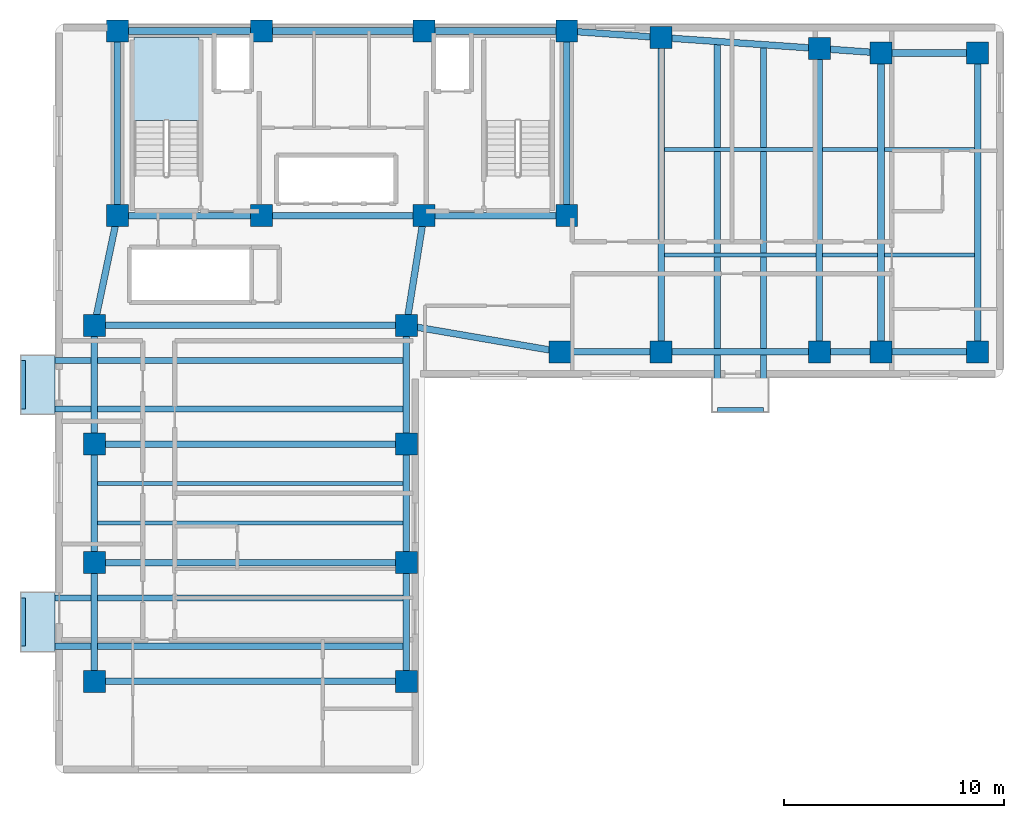
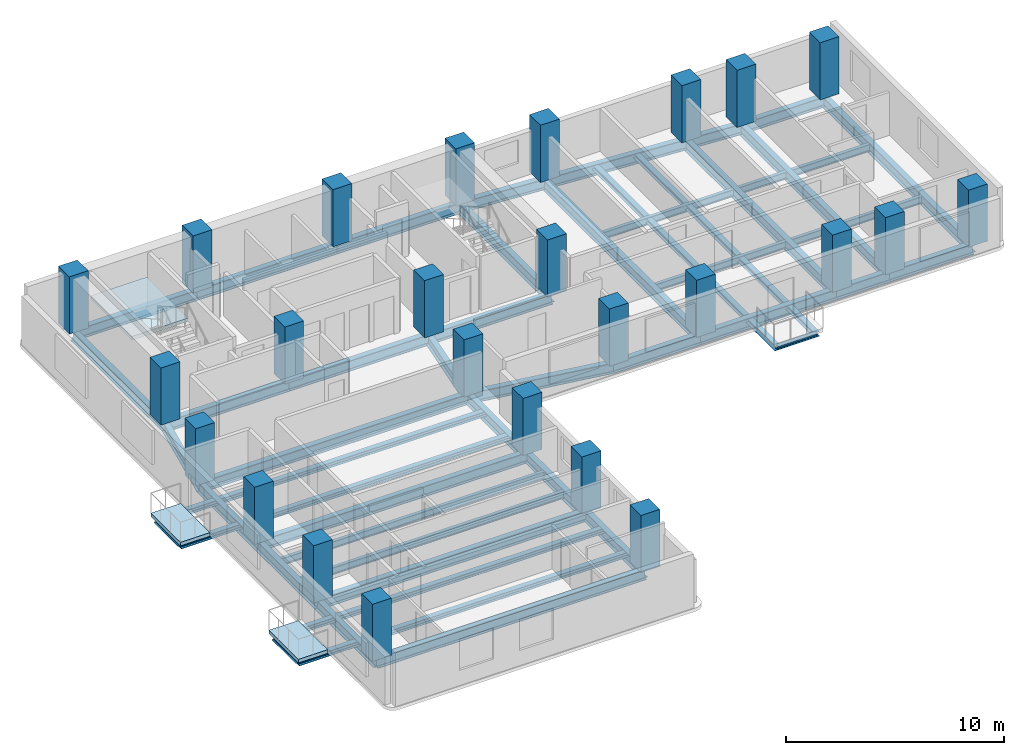
# One storey, part 1 of 7: 50 beams, 25 columns, 3 slabs, 1 element without a shape of its own.
"""IFC4 building model written with IfcOpenShell, lengths in metres."""

import ifcopenshell
import ifcopenshell.guid

model = None  # the IFC model being written
_history = None  # IfcOwnerHistory: only IFC2X3 demands one
_inside = {}  # id of a spatial element -> (the spatial element, [elements in it])
_under = {}  # id of a project, library or spatial element -> (it, [spatial elements below it])
_declared = {}  # id of a project -> (the project, [libraries it declares])
_typed = {}  # id of a type object -> (the type object, [elements of that type])
_made_of = {}  # id of a material, layer set ... -> (it, [elements and type objects made of it])


def new_model(schema):
    """Start an empty IFC model of exactly this schema.

    Asked for "IFC4X3", IfcOpenShell would pick the latest addendum, in which some entities
    have other attributes; the version numbers below select the first issue.
    IFC2X3 requires an IfcOwnerHistory on every rooted entity: one is made here for all.
    """
    global model, _history
    if schema == "IFC4X3":
        model = ifcopenshell.file(schema_version=(4, 3, 0, 0))
    else:
        model = ifcopenshell.file(schema=schema)
    _inside.clear()
    _under.clear()
    _declared.clear()
    _typed.clear()
    _made_of.clear()
    _history = None
    if model.schema == "IFC2X3":
        org = make("IfcOrganization", Name="unknown")
        user = make(
            "IfcPersonAndOrganization",
            ThePerson=make("IfcPerson", FamilyName="unknown"),
            TheOrganization=org,
        )
        app = make(
            "IfcApplication",
            ApplicationDeveloper=org,
            Version="unknown",
            ApplicationFullName="unknown",
            ApplicationIdentifier="unknown",
        )
        _history = make(
            "IfcOwnerHistory",
            OwningUser=user,
            OwningApplication=app,
            ChangeAction="ADDED",
            CreationDate=0,
        )
    return model


def make(cls, **values):
    """One entity of the class cls with the attributes given. An attribute that is None is left unset."""
    return model.create_entity(
        cls, **{name: value for name, value in values.items() if value is not None}
    )


def rooted(cls, **values):
    """An entity with a GlobalId (a new one), such as an element, a storey or a relation."""
    return make(cls, GlobalId=ifcopenshell.guid.new(), OwnerHistory=_history, **values)


def si_unit(unit_type, name, prefix=None):
    """IfcSIUnit, for example si_unit("LENGTHUNIT", "METRE", prefix="MILLI")."""
    return make("IfcSIUnit", UnitType=unit_type, Prefix=prefix, Name=name)


def assignment(units):
    """IfcUnitAssignment: the units of a project."""
    return None if units is None else make("IfcUnitAssignment", Units=units)


def point(xyz):
    """IfcCartesianPoint."""
    return None if xyz is None else make("IfcCartesianPoint", Coordinates=xyz)


def direction(xyz):
    """IfcDirection."""
    return None if xyz is None else make("IfcDirection", DirectionRatios=xyz)


def frame(location, z_axis=None, x_axis=None):
    """IfcAxis2Placement3D, a coordinate frame: its origin and axes. An axis left out is left unset."""
    return make(
        "IfcAxis2Placement3D",
        Location=point(location),
        Axis=direction(z_axis),
        RefDirection=direction(x_axis),
    )


def frame_2d(location, x_axis=None):
    """IfcAxis2Placement2D, a coordinate frame in the plane: its origin and x axis."""
    return make(
        "IfcAxis2Placement2D", Location=point(location), RefDirection=direction(x_axis)
    )


def origin():
    """The frame at (0, 0, 0) with its axes left unset."""
    return frame((0.0, 0.0, 0.0))


def origin_2d():
    """The frame at (0, 0) in the plane with its x axis left unset."""
    return frame_2d((0.0, 0.0))


def place(relative_to, where):
    """IfcLocalPlacement: puts the frame where relative to a parent placement (None: the world)."""
    return make(
        "IfcLocalPlacement", PlacementRelTo=relative_to, RelativePlacement=where
    )


def context(
    kind, dimensions, precision=None, world=None, true_north=None, identifier=None
):
    """IfcGeometricRepresentationContext, for example the 3D "Model" context."""
    return make(
        "IfcGeometricRepresentationContext",
        ContextIdentifier=identifier,
        ContextType=kind,
        CoordinateSpaceDimension=dimensions,
        Precision=precision,
        WorldCoordinateSystem=world,
        TrueNorth=true_north,
    )


def subcontext(parent, identifier, kind, view, scale=None):
    """IfcGeometricRepresentationSubContext, for example "Body" below "Model"."""
    return make(
        "IfcGeometricRepresentationSubContext",
        ContextIdentifier=identifier,
        ContextType=kind,
        ParentContext=parent,
        TargetScale=scale,
        TargetView=view,
    )


def project(units=None, contexts=None):
    """IfcProject with its units and contexts."""
    return rooted(
        "IfcProject",
        Name="project",
        RepresentationContexts=contexts,
        UnitsInContext=assignment(units),
    )


def spatial(cls, under=None, at=None, **own):
    """A site, building, storey or space (cls), placed at a placement, below another one or the project."""
    s = rooted(cls, ObjectPlacement=at, **own)
    if under is not None:
        _under.setdefault(under.id(), (under, []))[1].append(s)
    return s


def polyline(points):
    """IfcPolyline through the points."""
    return make("IfcPolyline", Points=[point(p) for p in points])


def profile(cls, at=None, kind="AREA", **sizes):
    """A parametric profile (cls). Its sizes go by their IFC names, for example OverallWidth=200.0."""
    return make(cls, ProfileType=kind, Position=at, **sizes)


def rectangle(**sizes):
    """IfcRectangleProfileDef."""
    return profile("IfcRectangleProfileDef", **sizes)


def i_section(**sizes):
    """IfcIShapeProfileDef."""
    return profile("IfcIShapeProfileDef", **sizes)


def outline(outer, holes=None, kind="AREA"):
    """IfcArbitraryClosedProfileDef: a profile drawn as a closed curve; with holes, ...WithVoids."""
    if holes is None:
        return make("IfcArbitraryClosedProfileDef", ProfileType=kind, OuterCurve=outer)
    return make(
        "IfcArbitraryProfileDefWithVoids",
        ProfileType=kind,
        OuterCurve=outer,
        InnerCurves=holes,
    )


def extrude(swept, where, along, depth):
    """IfcExtrudedAreaSolid: the profile swept, set in the frame where, extruded along a direction by depth."""
    return make(
        "IfcExtrudedAreaSolid",
        SweptArea=swept,
        Position=where,
        ExtrudedDirection=direction(along),
        Depth=depth,
    )


def shape(context_of_items, identifier, shape_type, items):
    """IfcShapeRepresentation: the items that make up one representation, for example the "Body"."""
    return make(
        "IfcShapeRepresentation",
        ContextOfItems=context_of_items,
        RepresentationIdentifier=identifier,
        RepresentationType=shape_type,
        Items=items,
    )


def material(Name=None, Category=None):
    """IfcMaterial."""
    return make("IfcMaterial", Name=Name, Category=Category)


def layer(
    of_material, thickness, ventilated=None, Name=None, Category=None, Priority=None
):
    """IfcMaterialLayer: one layer of a wall or slab, of a material (None: an air gap)."""
    return make(
        "IfcMaterialLayer",
        Material=of_material,
        LayerThickness=thickness,
        IsVentilated=ventilated,
        Name=Name,
        Category=Category,
        Priority=Priority,
    )


def layer_set(layers, Name=None):
    """IfcMaterialLayerSet."""
    return make("IfcMaterialLayerSet", MaterialLayers=layers, LayerSetName=Name)


def material_profile(
    of_material, cross_section, Name=None, Category=None, Priority=None
):
    """IfcMaterialProfile: a cross section and its material."""
    return make(
        "IfcMaterialProfile",
        Name=Name,
        Material=of_material,
        Profile=cross_section,
        Priority=Priority,
        Category=Category,
    )


def profile_set(profiles, Name=None, composite=None):
    """IfcMaterialProfileSet."""
    return make(
        "IfcMaterialProfileSet",
        Name=Name,
        MaterialProfiles=profiles,
        CompositeProfile=composite,
    )


def made_of(thing, what):
    """Note that an element or type object is made of a material, layer set ...; save() writes the relation."""
    if what is not None:
        _made_of.setdefault(what.id(), (what, []))[1].append(thing)
    return thing


def type_object(cls, material=None, **own):
    """A type object (cls), such as IfcWallType, which elements share."""
    return made_of(rooted(cls, **own), material)


def element(
    cls,
    number,
    at=None,
    inside=None,
    cuts=None,
    type_object=None,
    material=None,
    context=None,
    identifier="Body",
    shape_type=None,
    held_by="IfcProductDefinitionShape",
    body=None,
    shapes=None,
    **own,
):
    """One element of the class cls, such as IfcWall. Its Tag is "e" and its number.

    at: its placement. inside: the storey or other place that contains it. cuts: it is an
    opening in that element (IfcRelVoidsElement). A single representation is given by context,
    identifier, shape_type and body (its items); several are given by shapes. held_by: the class
    of the entity that holds the representations. save() writes the other relations.
    """
    e = rooted(cls, Tag="e%d" % number, ObjectPlacement=at, **own)
    if body is not None:
        shapes = [shape(context, identifier, shape_type, body)]
    if shapes is not None:
        e.Representation = make(held_by, Representations=shapes)
    if inside is not None:
        _inside.setdefault(inside.id(), (inside, []))[1].append(e)
    if cuts is not None:
        rooted(
            "IfcRelVoidsElement", RelatingBuildingElement=cuts, RelatedOpeningElement=e
        )
    if type_object is not None:
        _typed.setdefault(type_object.id(), (type_object, []))[1].append(e)
    return made_of(e, material)


def aggregate(whole, parts):
    """IfcRelAggregates: a whole, such as a stair, and the parts it consists of."""
    return rooted("IfcRelAggregates", RelatingObject=whole, RelatedObjects=parts)


def save(model, path):
    """Write the relations noted so far, then the file.

    IfcRelAggregates (storeys below a building ...), IfcRelContainedInSpatialStructure (elements
    in a storey), IfcRelDefinesByType, IfcRelAssociatesMaterial and IfcRelDeclares: one each for
    every whole, place, type object, material and project.
    """
    for whole, parts in _under.values():
        aggregate(whole, parts)
    for where, things in _inside.values():
        rooted(
            "IfcRelContainedInSpatialStructure",
            RelatedElements=things,
            RelatingStructure=where,
        )
    for kind, things in _typed.values():
        rooted("IfcRelDefinesByType", RelatedObjects=things, RelatingType=kind)
    for what, things in _made_of.values():
        rooted("IfcRelAssociatesMaterial", RelatedObjects=things, RelatingMaterial=what)
    for by, libraries in _declared.values():
        rooted("IfcRelDeclares", RelatingContext=by, RelatedDefinitions=libraries)
    model.write(path)


model = new_model("IFC4")

# Units and contexts
model_context = context("Model", 3, precision=1e-05, world=origin(), true_north=direction((0.0, 1.0)))
body_context = subcontext(model_context, "Body", "Model", "MODEL_VIEW")
ifc_project = project(units=[si_unit("LENGTHUNIT", "METRE"), si_unit("AREAUNIT", "SQUARE_METRE"), si_unit("VOLUMEUNIT", "CUBIC_METRE"), si_unit("PLANEANGLEUNIT", "RADIAN"), si_unit("MASSUNIT", "GRAM", prefix="KILO")], contexts=[model_context])

# Site, building, storey
site_placement = place(None, origin())
site = spatial("IfcSite", under=ifc_project, at=site_placement, CompositionType="ELEMENT")
building_placement = place(site_placement, origin())
building = spatial("IfcBuilding", under=site, at=building_placement, Name="Kuzgunbayir Cultural Tower", CompositionType="ELEMENT")
storey_placement = place(building_placement, frame((0.0, 0.0, 113.800048828125)))
storey = spatial("IfcBuildingStorey", under=building, at=storey_placement, Name="L32", CompositionType="ELEMENT", Elevation=113.800048828125)

# Columns
ifc_material_1 = material(Name="Concrete C50/60", Category="concrete")
ifc_material_profile_1 = material_profile(ifc_material_1, rectangle(XDim=1.0, YDim=1.0, at=origin_2d()), Name="RC 1000x1000")
ifc_profile_set_1 = profile_set([ifc_material_profile_1], Name="Concrete C50/60")
column_type_1 = type_object("IfcColumnType", Name="COL-CORE-1000", PredefinedType="COLUMN", material=ifc_profile_set_1)
for number, where, z_axis, x_axis, name in (
    (1, (6.449951171875, 33.800048828125, 0.0), (0.0, 0.0, 1.0), (1.0, 0.0, 0.0), "L32 T1 Core Boundary Column CC1-1"),
    (2, (13.0, 33.800048828125, 0.0), (0.0, 0.0, 1.0), (1.0, 0.0, 0.0), "L32 T1 Core Boundary Column CC1-2"),
    (3, (20.39990234375, 33.800048828125, 0.0), (0.0, 0.0, 1.0), (1.0, 0.0, 0.0), "L32 T1 Core Boundary Column CC1-3"),
    (4, (26.89990234375, 33.800048828125, 0.0), (0.0, 0.0, 1.0), (1.0, 0.0, 0.0), "L32 T1 Core Boundary Column CC1-4"),
    (5, (6.449951171875, 42.199951171875, 0.0), (0.0, 0.0, 1.0), (1.0, 0.0, 0.0), "L32 T1 Core Boundary Column CC1-5"),
    (6, (13.0, 42.199951171875, 0.0), (0.0, 0.0, 1.0), (1.0, 0.0, 0.0), "L32 T1 Core Boundary Column CC1-6"),
    (7, (20.39990234375, 42.199951171875, 0.0), (0.0, 0.0, 1.0), (1.0, 0.0, 0.0), "L32 T1 Core Boundary Column CC1-7"),
    (8, (26.89990234375, 42.199951171875, 0.0), (0.0, 0.0, 1.0), (1.0, 0.0, 0.0), "L32 T1 Core Boundary Column CC1-8"),
):
    element("IfcColumn", number, at=place(storey_placement, frame(where, z_axis=z_axis, x_axis=x_axis)), inside=storey, type_object=column_type_1, Name=name, PredefinedType="COLUMN", context=body_context, shape_type="SweptSolid", body=[
        extrude(rectangle(XDim=1.0, YDim=1.0, at=origin_2d()), origin(), (0.0, 0.0, 1.0), 3.199951171875),
    ])
ifc_material_profile_2 = material_profile(ifc_material_1, rectangle(XDim=1.0, YDim=1.0, at=origin_2d()), Name="RC 1000x1000")
ifc_profile_set_2 = profile_set([ifc_material_profile_2], Name="Concrete C50/60")
column_type_2 = type_object("IfcColumnType", Name="COL-T1-1000", PredefinedType="COLUMN", material=ifc_profile_set_2)
for number, where, z_axis, x_axis, name in (
    (9, (5.39990234375, 12.60009765625, 0.0), (0.0, 0.0, 1.0), (1.0, 0.0, 0.0), "L32 Tower 1 Wing A Column T1A-W-1"),
    (10, (19.60009765625, 12.60009765625, 0.0), (0.0, 0.0, 1.0), (1.0, 0.0, 0.0), "L32 Tower 1 Wing A Column T1A-E-1"),
    (11, (5.39990234375, 18.0, 0.0), (0.0, 0.0, 1.0), (1.0, 0.0, 0.0), "L32 Tower 1 Wing A Column T1A-W-2"),
    (12, (19.60009765625, 18.0, 0.0), (0.0, 0.0, 1.0), (1.0, 0.0, 0.0), "L32 Tower 1 Wing A Column T1A-E-2"),
    (13, (5.39990234375, 23.39990234375, 0.0), (0.0, 0.0, 1.0), (1.0, 0.0, 0.0), "L32 Tower 1 Wing A Column T1A-W-3"),
    (14, (19.60009765625, 23.39990234375, 0.0), (0.0, 0.0, 1.0), (1.0, 0.0, 0.0), "L32 Tower 1 Wing A Column T1A-E-3"),
    (15, (5.39990234375, 28.800048828125, 0.0), (0.0, 0.0, 1.0), (1.0, 0.0, 0.0), "L32 Tower 1 Wing A Column T1A-W-4"),
    (16, (19.60009765625, 28.800048828125, 0.0), (0.0, 0.0, 1.0), (1.0, 0.0, 0.0), "L32 Tower 1 Wing A Column T1A-E-4"),
    (17, (26.60009765625, 27.60009765625, 0.0), (0.0, 0.0, 1.0), (1.0, 0.0, 0.0), "L32 Tower 1 Wing B Column T1B-1-1"),
    (18, (31.199951171875, 27.60009765625, 0.0), (0.0, 0.0, 1.0), (1.0, 0.0, 0.0), "L32 Tower 1 Wing B Column T1B-2-1"),
    (19, (31.199951171875, 41.89990234375, 0.0), (0.0, 0.0, 1.0), (1.0, 0.0, 0.0), "L32 Tower 1 Wing B Column T1B-2-2"),
    (20, (38.39990234375, 27.60009765625, 0.0), (0.0, 0.0, 1.0), (1.0, 0.0, 0.0), "L32 Tower 1 Wing B Column T1B-3-1"),
    (21, (38.39990234375, 41.39990234375, 0.0), (0.0, 0.0, 1.0), (1.0, 0.0, 0.0), "L32 Tower 1 Wing B Column T1B-3-2"),
    (22, (41.199951171875, 27.60009765625, 0.0), (0.0, 0.0, 1.0), (1.0, 0.0, 0.0), "L32 Tower 1 Wing B Column T1B-4-1"),
    (23, (41.199951171875, 41.199951171875, 0.0), (0.0, 0.0, 1.0), (1.0, 0.0, 0.0), "L32 Tower 1 Wing B Column T1B-4-2"),
    (24, (45.60009765625, 27.60009765625, 0.0), (0.0, 0.0, 1.0), (1.0, 0.0, 0.0), "L32 Tower 1 Wing B Column T1B-5-1"),
    (25, (45.60009765625, 41.199951171875, 0.0), (0.0, 0.0, 1.0), (1.0, 0.0, 0.0), "L32 Tower 1 Wing B Column T1B-5-2"),
):
    element("IfcColumn", number, at=place(storey_placement, frame(where, z_axis=z_axis, x_axis=x_axis)), inside=storey, type_object=column_type_2, Name=name, PredefinedType="COLUMN", context=body_context, shape_type="SweptSolid", body=[
        extrude(rectangle(XDim=1.0, YDim=1.0, at=origin_2d()), origin(), (0.0, 0.0, 1.0), 3.199951171875),
    ])

# Beams
ifc_material_2 = material(Name="Steel S355J2", Category="steel")
ifc_material_profile_3 = material_profile(ifc_material_2, i_section(OverallWidth=0.280029296875, OverallDepth=0.280029296875, WebThickness=0.010498046875, FlangeThickness=0.01806640625, FilletRadius=0.02392578125, at=origin_2d()), Name="HEB 280")
ifc_profile_set_3 = profile_set([ifc_material_profile_3], Name="Steel S355J2")
beam_type_1 = type_object("IfcBeamType", Name="BM-BAL-HEB280", PredefinedType="BEAM", material=ifc_profile_set_3)
for number, where, z_axis, x_axis, name in (
    (26, (2.159912109375, 14.199951171875, -0.340087890625), (1.0, 0.0, 0.0), (0.0, 1.0, 0.0), "L32 Balcony Outrigger Beam BAL-L32-WA1.1"),
    (27, (2.159912109375, 16.39990234375, -0.340087890625), (1.0, 0.0, 0.0), (0.0, 1.0, 0.0), "L32 Balcony Outrigger Beam BAL-L32-WA1.2"),
    (28, (2.159912109375, 25.0, -0.340087890625), (1.0, 0.0, 0.0), (0.0, 1.0, 0.0), "L32 Balcony Outrigger Beam BAL-L32-WA3.1"),
    (29, (2.159912109375, 27.199951171875, -0.340087890625), (1.0, 0.0, 0.0), (0.0, 1.0, 0.0), "L32 Balcony Outrigger Beam BAL-L32-WA3.2"),
):
    element("IfcBeam", number, at=place(storey_placement, frame(where, z_axis=z_axis, x_axis=x_axis)), inside=storey, type_object=beam_type_1, Name=name, PredefinedType="BEAM", context=body_context, shape_type="SweptSolid", body=[
        extrude(i_section(OverallWidth=0.280029296875, OverallDepth=0.280029296875, WebThickness=0.010498046875, FlangeThickness=0.01806640625, FilletRadius=0.02392578125, at=origin_2d()), origin(), (0.0, 0.0, 1.0), 17.440185546875),
    ])
beam_1_placement = place(storey_placement, frame((33.75, 24.9599609375, -0.340087890625), z_axis=(0.0, 1.0, 0.0), x_axis=(-1.0, 0.0, 0.0)))
element("IfcBeam", 30, at=beam_1_placement, inside=storey, type_object=beam_type_1, Name="L32 Balcony Outrigger Beam BAL-L32-WB2.1", PredefinedType="BEAM", context=body_context, shape_type="SweptSolid", body=[
    extrude(i_section(OverallWidth=0.280029296875, OverallDepth=0.280029296875, WebThickness=0.010498046875, FlangeThickness=0.01806640625, FilletRadius=0.02392578125, at=origin_2d()), origin(), (0.0, 0.0, 1.0), 16.760009765625),
])
beam_2_placement = place(storey_placement, frame((35.85009765625, 24.9599609375, -0.340087890625), z_axis=(0.0, 1.0, 0.0), x_axis=(-1.0, 0.0, 0.0)))
element("IfcBeam", 31, at=beam_2_placement, inside=storey, type_object=beam_type_1, Name="L32 Balcony Outrigger Beam BAL-L32-WB2.2", PredefinedType="BEAM", context=body_context, shape_type="SweptSolid", body=[
    extrude(i_section(OverallWidth=0.280029296875, OverallDepth=0.280029296875, WebThickness=0.010498046875, FlangeThickness=0.01806640625, FilletRadius=0.02392578125, at=origin_2d()), origin(), (0.0, 0.0, 1.0), 16.6201171875),
])
ifc_material_profile_4 = material_profile(ifc_material_2, i_section(OverallWidth=0.199951171875, OverallDepth=0.199951171875, WebThickness=0.009033203125, FlangeThickness=0.014892578125, FilletRadius=0.01806640625, at=origin_2d()), Name="HEB 200")
ifc_profile_set_4 = profile_set([ifc_material_profile_4], Name="Steel S355J2")
beam_type_2 = type_object("IfcBeamType", Name="BM-CAN-HEB200", PredefinedType="BEAM", material=ifc_profile_set_4)
for number, where, z_axis, x_axis, name in (
    (32, (2.159912109375, 14.199951171875, -0.300048828125), (0.0, 1.0, 0.0), (-1.0, 0.0, 0.0), "L32 Balcony Edge Header BAL-L32-WA1"),
    (33, (2.159912109375, 25.0, -0.300048828125), (0.0, 1.0, 0.0), (-1.0, 0.0, 0.0), "L32 Balcony Edge Header BAL-L32-WA3"),
):
    element("IfcBeam", number, at=place(storey_placement, frame(where, z_axis=z_axis, x_axis=x_axis)), inside=storey, type_object=beam_type_2, Name=name, PredefinedType="BEAM", context=body_context, shape_type="SweptSolid", body=[
        extrude(i_section(OverallWidth=0.199951171875, OverallDepth=0.199951171875, WebThickness=0.009033203125, FlangeThickness=0.014892578125, FilletRadius=0.01806640625, at=origin_2d()), origin(), (0.0, 0.0, 1.0), 2.199951171875),
    ])
beam_3_placement = place(storey_placement, frame((33.75, 24.9599609375, -0.300048828125), z_axis=(1.0, 0.0, 0.0), x_axis=(0.0, 1.0, 0.0)))
element("IfcBeam", 34, at=beam_3_placement, inside=storey, type_object=beam_type_2, Name="L32 Balcony Edge Header BAL-L32-WB2", PredefinedType="BEAM", context=body_context, shape_type="SweptSolid", body=[
    extrude(i_section(OverallWidth=0.199951171875, OverallDepth=0.199951171875, WebThickness=0.009033203125, FlangeThickness=0.014892578125, FilletRadius=0.01806640625, at=origin_2d()), origin(), (0.0, 0.0, 1.0), 2.10009765625),
])
ifc_material_profile_5 = material_profile(ifc_material_2, i_section(OverallWidth=0.300048828125, OverallDepth=0.60009765625, WebThickness=0.015380859375, FlangeThickness=0.030029296875, FilletRadius=0.027099609375, at=origin_2d()), Name="HEB 600")
ifc_profile_set_5 = profile_set([ifc_material_profile_5], Name="Steel S355J2")
beam_type_3 = type_object("IfcBeamType", Name="BM-EXT-HEB600", PredefinedType="BEAM", material=ifc_profile_set_5)
for number, where, z_axis, x_axis, name in (
    (35, (5.39990234375, 12.60009765625, -0.47998046875), (0.0, 1.0, 0.0), (-1.0, 0.0, 0.0), "L32 Wing A West Girder 1"),
    (36, (19.60009765625, 12.60009765625, -0.47998046875), (0.0, 1.0, 0.0), (-1.0, 0.0, 0.0), "L32 Wing A East Girder 1"),
    (37, (5.39990234375, 18.0, -0.47998046875), (0.0, 1.0, 0.0), (-1.0, 0.0, 0.0), "L32 Wing A West Girder 2"),
    (38, (19.60009765625, 18.0, -0.47998046875), (0.0, 1.0, 0.0), (-1.0, 0.0, 0.0), "L32 Wing A East Girder 2"),
):
    element("IfcBeam", number, at=place(storey_placement, frame(where, z_axis=z_axis, x_axis=x_axis)), inside=storey, type_object=beam_type_3, Name=name, PredefinedType="BEAM", context=body_context, shape_type="SweptSolid", body=[
        extrude(i_section(OverallWidth=0.300048828125, OverallDepth=0.60009765625, WebThickness=0.015380859375, FlangeThickness=0.030029296875, FilletRadius=0.027099609375, at=origin_2d()), origin(), (0.0, 0.0, 1.0), 5.39990234375),
    ])
for number, where, z_axis, x_axis, name in (
    (39, (5.39990234375, 23.39990234375, -0.47998046875), (0.0, 1.0, 0.0), (-1.0, 0.0, 0.0), "L32 Wing A West Girder 3"),
    (40, (19.60009765625, 23.39990234375, -0.47998046875), (0.0, 1.0, 0.0), (-1.0, 0.0, 0.0), "L32 Wing A East Girder 3"),
):
    element("IfcBeam", number, at=place(storey_placement, frame(where, z_axis=z_axis, x_axis=x_axis)), inside=storey, type_object=beam_type_3, Name=name, PredefinedType="BEAM", context=body_context, shape_type="SweptSolid", body=[
        extrude(i_section(OverallWidth=0.300048828125, OverallDepth=0.60009765625, WebThickness=0.015380859375, FlangeThickness=0.030029296875, FilletRadius=0.027099609375, at=origin_2d()), origin(), (0.0, 0.0, 1.0), 5.400146484375),
    ])
beam_4_placement = place(storey_placement, frame((26.60009765625, 27.60009765625, -0.47998046875), z_axis=(1.0, 0.0, 0.0), x_axis=(0.0, 1.0, 0.0)))
element("IfcBeam", 41, at=beam_4_placement, inside=storey, type_object=beam_type_3, Name="L32 Wing B South Girder 1", PredefinedType="BEAM", context=body_context, shape_type="SweptSolid", body=[
    extrude(i_section(OverallWidth=0.300048828125, OverallDepth=0.60009765625, WebThickness=0.015380859375, FlangeThickness=0.030029296875, FilletRadius=0.027099609375, at=origin_2d()), origin(), (0.0, 0.0, 1.0), 4.599853515625),
])
beam_5_placement = place(storey_placement, frame((26.89990234375, 42.199951171875, -0.47998046875), z_axis=(0.997574369175, -0.069608749203, 0.0), x_axis=(0.069608749203, 0.997574369175, 0.0)))
element("IfcBeam", 42, at=beam_5_placement, inside=storey, type_object=beam_type_3, Name="L32 Wing B North Girder 1", PredefinedType="BEAM", context=body_context, shape_type="SweptSolid", body=[
    extrude(i_section(OverallWidth=0.300048828125, OverallDepth=0.60009765625, WebThickness=0.015380859375, FlangeThickness=0.030029296875, FilletRadius=0.027099609375, at=origin_2d()), origin(), (0.0, 0.0, 1.0), 4.310546875),
])
beam_6_placement = place(storey_placement, frame((31.199951171875, 27.60009765625, -0.47998046875), z_axis=(1.0, 0.0, 0.0), x_axis=(0.0, 1.0, 0.0)))
element("IfcBeam", 43, at=beam_6_placement, inside=storey, type_object=beam_type_3, Name="L32 Wing B South Girder 2", PredefinedType="BEAM", context=body_context, shape_type="SweptSolid", body=[
    extrude(i_section(OverallWidth=0.300048828125, OverallDepth=0.60009765625, WebThickness=0.015380859375, FlangeThickness=0.030029296875, FilletRadius=0.027099609375, at=origin_2d()), origin(), (0.0, 0.0, 1.0), 7.199951171875),
])
beam_7_placement = place(storey_placement, frame((31.199951171875, 41.89990234375, -0.47998046875), z_axis=(0.997597388498, -0.069278066245, 0.0), x_axis=(0.069278066245, 0.997597388498, 0.0)))
element("IfcBeam", 44, at=beam_7_placement, inside=storey, type_object=beam_type_3, Name="L32 Wing B North Girder 2", PredefinedType="BEAM", context=body_context, shape_type="SweptSolid", body=[
    extrude(i_section(OverallWidth=0.300048828125, OverallDepth=0.60009765625, WebThickness=0.015380859375, FlangeThickness=0.030029296875, FilletRadius=0.027099609375, at=origin_2d()), origin(), (0.0, 0.0, 1.0), 7.21728515625),
])
beam_8_placement = place(storey_placement, frame((38.39990234375, 27.60009765625, -0.47998046875), z_axis=(1.0, 0.0, 0.0), x_axis=(0.0, 1.0, 0.0)))
element("IfcBeam", 45, at=beam_8_placement, inside=storey, type_object=beam_type_3, Name="L32 Wing B South Girder 3", PredefinedType="BEAM", context=body_context, shape_type="SweptSolid", body=[
    extrude(i_section(OverallWidth=0.300048828125, OverallDepth=0.60009765625, WebThickness=0.015380859375, FlangeThickness=0.030029296875, FilletRadius=0.027099609375, at=origin_2d()), origin(), (0.0, 0.0, 1.0), 2.800048828125),
])
beam_9_placement = place(storey_placement, frame((38.39990234375, 41.39990234375, -0.47998046875), z_axis=(0.997460024076, -0.071228508128, 0.0), x_axis=(0.071228508128, 0.997460024076, 0.0)))
element("IfcBeam", 46, at=beam_9_placement, inside=storey, type_object=beam_type_3, Name="L32 Wing B North Girder 3", PredefinedType="BEAM", context=body_context, shape_type="SweptSolid", body=[
    extrude(i_section(OverallWidth=0.300048828125, OverallDepth=0.60009765625, WebThickness=0.015380859375, FlangeThickness=0.030029296875, FilletRadius=0.027099609375, at=origin_2d()), origin(), (0.0, 0.0, 1.0), 2.80712890625),
])
for number, where, z_axis, x_axis, name in (
    (47, (41.199951171875, 27.60009765625, -0.47998046875), (1.0, 0.0, 0.0), (0.0, 1.0, 0.0), "L32 Wing B South Girder 4"),
    (48, (41.199951171875, 41.199951171875, -0.47998046875), (1.0, 0.0, 0.0), (0.0, 1.0, 0.0), "L32 Wing B North Girder 4"),
):
    element("IfcBeam", number, at=place(storey_placement, frame(where, z_axis=z_axis, x_axis=x_axis)), inside=storey, type_object=beam_type_3, Name=name, PredefinedType="BEAM", context=body_context, shape_type="SweptSolid", body=[
        extrude(i_section(OverallWidth=0.300048828125, OverallDepth=0.60009765625, WebThickness=0.015380859375, FlangeThickness=0.030029296875, FilletRadius=0.027099609375, at=origin_2d()), origin(), (0.0, 0.0, 1.0), 4.400146484375),
    ])
ifc_material_profile_6 = material_profile(ifc_material_2, i_section(OverallWidth=0.300048828125, OverallDepth=0.60009765625, WebThickness=0.015380859375, FlangeThickness=0.030029296875, FilletRadius=0.027099609375, at=origin_2d()), Name="HEB 600")
ifc_profile_set_6 = profile_set([ifc_material_profile_6], Name="Steel S355J2")
beam_type_4 = type_object("IfcBeamType", Name="BM-GIR-HEB600", PredefinedType="BEAM", material=ifc_profile_set_6)
beam_10_placement = place(storey_placement, frame((6.449951171875, 33.800048828125, -0.47998046875), z_axis=(1.0, 0.0, 0.0), x_axis=(0.0, 1.0, 0.0)))
element("IfcBeam", 49, at=beam_10_placement, inside=storey, type_object=beam_type_4, Name="L32 Core South Girder 1", PredefinedType="BEAM", context=body_context, shape_type="SweptSolid", body=[
    extrude(i_section(OverallWidth=0.300048828125, OverallDepth=0.60009765625, WebThickness=0.015380859375, FlangeThickness=0.030029296875, FilletRadius=0.027099609375, at=origin_2d()), origin(), (0.0, 0.0, 1.0), 6.550048828125),
])
beam_11_placement = place(storey_placement, frame((13.0, 33.800048828125, -0.47998046875), z_axis=(1.0, 0.0, 0.0), x_axis=(0.0, 1.0, 0.0)))
element("IfcBeam", 50, at=beam_11_placement, inside=storey, type_object=beam_type_4, Name="L32 Core South Girder 2", PredefinedType="BEAM", context=body_context, shape_type="SweptSolid", body=[
    extrude(i_section(OverallWidth=0.300048828125, OverallDepth=0.60009765625, WebThickness=0.015380859375, FlangeThickness=0.030029296875, FilletRadius=0.027099609375, at=origin_2d()), origin(), (0.0, 0.0, 1.0), 7.39990234375),
])
beam_12_placement = place(storey_placement, frame((20.39990234375, 33.800048828125, -0.47998046875), z_axis=(1.0, 0.0, 0.0), x_axis=(0.0, 1.0, 0.0)))
element("IfcBeam", 51, at=beam_12_placement, inside=storey, type_object=beam_type_4, Name="L32 Core South Girder 3", PredefinedType="BEAM", context=body_context, shape_type="SweptSolid", body=[
    extrude(i_section(OverallWidth=0.300048828125, OverallDepth=0.60009765625, WebThickness=0.015380859375, FlangeThickness=0.030029296875, FilletRadius=0.027099609375, at=origin_2d()), origin(), (0.0, 0.0, 1.0), 6.5),
])
beam_13_placement = place(storey_placement, frame((6.449951171875, 42.199951171875, -0.47998046875), z_axis=(1.0, 0.0, 0.0), x_axis=(0.0, 1.0, 0.0)))
element("IfcBeam", 52, at=beam_13_placement, inside=storey, type_object=beam_type_4, Name="L32 Core North Girder 1", PredefinedType="BEAM", context=body_context, shape_type="SweptSolid", body=[
    extrude(i_section(OverallWidth=0.300048828125, OverallDepth=0.60009765625, WebThickness=0.015380859375, FlangeThickness=0.030029296875, FilletRadius=0.027099609375, at=origin_2d()), origin(), (0.0, 0.0, 1.0), 6.550048828125),
])
beam_14_placement = place(storey_placement, frame((13.0, 42.199951171875, -0.47998046875), z_axis=(1.0, 0.0, 0.0), x_axis=(0.0, 1.0, 0.0)))
element("IfcBeam", 53, at=beam_14_placement, inside=storey, type_object=beam_type_4, Name="L32 Core North Girder 2", PredefinedType="BEAM", context=body_context, shape_type="SweptSolid", body=[
    extrude(i_section(OverallWidth=0.300048828125, OverallDepth=0.60009765625, WebThickness=0.015380859375, FlangeThickness=0.030029296875, FilletRadius=0.027099609375, at=origin_2d()), origin(), (0.0, 0.0, 1.0), 7.39990234375),
])
beam_15_placement = place(storey_placement, frame((20.39990234375, 42.199951171875, -0.47998046875), z_axis=(1.0, 0.0, 0.0), x_axis=(0.0, 1.0, 0.0)))
element("IfcBeam", 54, at=beam_15_placement, inside=storey, type_object=beam_type_4, Name="L32 Core North Girder 3", PredefinedType="BEAM", context=body_context, shape_type="SweptSolid", body=[
    extrude(i_section(OverallWidth=0.300048828125, OverallDepth=0.60009765625, WebThickness=0.015380859375, FlangeThickness=0.030029296875, FilletRadius=0.027099609375, at=origin_2d()), origin(), (0.0, 0.0, 1.0), 6.5),
])
for number, where, z_axis, x_axis, name in (
    (55, (6.449951171875, 33.800048828125, -0.47998046875), (0.0, 1.0, 0.0), (-1.0, 0.0, 0.0), "L32 Core West Edge Girder"),
    (56, (26.89990234375, 33.800048828125, -0.47998046875), (0.0, 1.0, 0.0), (-1.0, 0.0, 0.0), "L32 Core East Edge Girder"),
):
    element("IfcBeam", number, at=place(storey_placement, frame(where, z_axis=z_axis, x_axis=x_axis)), inside=storey, type_object=beam_type_4, Name=name, PredefinedType="BEAM", context=body_context, shape_type="SweptSolid", body=[
        extrude(i_section(OverallWidth=0.300048828125, OverallDepth=0.60009765625, WebThickness=0.015380859375, FlangeThickness=0.030029296875, FilletRadius=0.027099609375, at=origin_2d()), origin(), (0.0, 0.0, 1.0), 8.39990234375),
    ])
for number, where, z_axis, x_axis, name in (
    (57, (5.39990234375, 12.60009765625, -0.47998046875), (1.0, 0.0, 0.0), (0.0, 1.0, 0.0), "L32 Wing A Transverse Girder 1"),
    (58, (5.39990234375, 18.0, -0.47998046875), (1.0, 0.0, 0.0), (0.0, 1.0, 0.0), "L32 Wing A Transverse Girder 2"),
    (59, (5.39990234375, 23.39990234375, -0.47998046875), (1.0, 0.0, 0.0), (0.0, 1.0, 0.0), "L32 Wing A Transverse Girder 3"),
    (60, (5.39990234375, 28.800048828125, -0.47998046875), (1.0, 0.0, 0.0), (0.0, 1.0, 0.0), "L32 Wing A Transverse Girder 4"),
):
    element("IfcBeam", number, at=place(storey_placement, frame(where, z_axis=z_axis, x_axis=x_axis)), inside=storey, type_object=beam_type_4, Name=name, PredefinedType="BEAM", context=body_context, shape_type="SweptSolid", body=[
        extrude(i_section(OverallWidth=0.300048828125, OverallDepth=0.60009765625, WebThickness=0.015380859375, FlangeThickness=0.030029296875, FilletRadius=0.027099609375, at=origin_2d()), origin(), (0.0, 0.0, 1.0), 14.2001953125),
    ])
beam_16_placement = place(storey_placement, frame((5.39990234375, 28.800048828125, -0.47998046875), z_axis=(0.205526387753, 0.978651574329, 0.0), x_axis=(-0.978651574329, 0.205526387753, 0.0)))
element("IfcBeam", 61, at=beam_16_placement, inside=storey, type_object=beam_type_4, Name="L32 Wing A West Core Floor Girder", PredefinedType="BEAM", context=body_context, shape_type="SweptSolid", body=[
    extrude(i_section(OverallWidth=0.300048828125, OverallDepth=0.60009765625, WebThickness=0.015380859375, FlangeThickness=0.030029296875, FilletRadius=0.027099609375, at=origin_2d()), origin(), (0.0, 0.0, 1.0), 5.109130859375),
])
beam_17_placement = place(storey_placement, frame((19.60009765625, 28.800048828125, -0.47998046875), z_axis=(0.157952891656, 0.987446648694, 0.0), x_axis=(-0.987446648694, 0.157952891656, 0.0)))
element("IfcBeam", 62, at=beam_17_placement, inside=storey, type_object=beam_type_4, Name="L32 Wing A East Core Floor Girder", PredefinedType="BEAM", context=body_context, shape_type="SweptSolid", body=[
    extrude(i_section(OverallWidth=0.300048828125, OverallDepth=0.60009765625, WebThickness=0.015380859375, FlangeThickness=0.030029296875, FilletRadius=0.027099609375, at=origin_2d()), origin(), (0.0, 0.0, 1.0), 5.0634765625),
])
beam_18_placement = place(storey_placement, frame((31.199951171875, 27.60009765625, -0.47998046875), z_axis=(0.0, 1.0, 0.0), x_axis=(-1.0, 0.0, 0.0)))
element("IfcBeam", 63, at=beam_18_placement, inside=storey, type_object=beam_type_4, Name="L32 Wing B Cross Girder 31", PredefinedType="BEAM", context=body_context, shape_type="SweptSolid", body=[
    extrude(i_section(OverallWidth=0.300048828125, OverallDepth=0.60009765625, WebThickness=0.015380859375, FlangeThickness=0.030029296875, FilletRadius=0.027099609375, at=origin_2d()), origin(), (0.0, 0.0, 1.0), 14.2998046875),
])
beam_19_placement = place(storey_placement, frame((38.39990234375, 27.60009765625, -0.47998046875), z_axis=(0.0, 1.0, 0.0), x_axis=(-1.0, 0.0, 0.0)))
element("IfcBeam", 64, at=beam_19_placement, inside=storey, type_object=beam_type_4, Name="L32 Wing B Cross Girder 38", PredefinedType="BEAM", context=body_context, shape_type="SweptSolid", body=[
    extrude(i_section(OverallWidth=0.300048828125, OverallDepth=0.60009765625, WebThickness=0.015380859375, FlangeThickness=0.030029296875, FilletRadius=0.027099609375, at=origin_2d()), origin(), (0.0, 0.0, 1.0), 13.7998046875),
])
for number, where, z_axis, x_axis, name in (
    (65, (41.199951171875, 27.60009765625, -0.47998046875), (0.0, 1.0, 0.0), (-1.0, 0.0, 0.0), "L32 Wing B Cross Girder 41"),
    (66, (45.60009765625, 27.60009765625, -0.47998046875), (0.0, 1.0, 0.0), (-1.0, 0.0, 0.0), "L32 Wing B Cross Girder 45"),
):
    element("IfcBeam", number, at=place(storey_placement, frame(where, z_axis=z_axis, x_axis=x_axis)), inside=storey, type_object=beam_type_4, Name=name, PredefinedType="BEAM", context=body_context, shape_type="SweptSolid", body=[
        extrude(i_section(OverallWidth=0.300048828125, OverallDepth=0.60009765625, WebThickness=0.015380859375, FlangeThickness=0.030029296875, FilletRadius=0.027099609375, at=origin_2d()), origin(), (0.0, 0.0, 1.0), 13.599853515625),
    ])
beam_20_placement = place(storey_placement, frame((19.60009765625, 28.800048828125, -0.47998046875), z_axis=(0.985623399742, -0.168957136221, 0.0), x_axis=(0.168957136221, 0.985623399742, 0.0)))
element("IfcBeam", 67, at=beam_20_placement, inside=storey, type_object=beam_type_4, Name="L32 Wing B Waist Tie Girder", PredefinedType="BEAM", context=body_context, shape_type="SweptSolid", body=[
    extrude(i_section(OverallWidth=0.300048828125, OverallDepth=0.60009765625, WebThickness=0.015380859375, FlangeThickness=0.030029296875, FilletRadius=0.027099609375, at=origin_2d()), origin(), (0.0, 0.0, 1.0), 7.10205078125),
])
ifc_material_profile_7 = material_profile(ifc_material_2, i_section(OverallWidth=0.179931640625, OverallDepth=0.39990234375, WebThickness=0.008544921875, FlangeThickness=0.013427734375, FilletRadius=0.02099609375, at=origin_2d()), Name="IPE 400")
ifc_profile_set_7 = profile_set([ifc_material_profile_7], Name="Steel S355J2")
beam_type_5 = type_object("IfcBeamType", Name="BM-JST-IPE400", PredefinedType="JOIST", material=ifc_profile_set_7)
for number, where, z_axis, x_axis, name in (
    (68, (5.550048828125, 19.800048828125, -0.380126953125), (1.0, 0.0, 0.0), (0.0, 1.0, 0.0), "L32 Wing A Secondary Joist 3"),
    (69, (5.550048828125, 21.60009765625, -0.380126953125), (1.0, 0.0, 0.0), (0.0, 1.0, 0.0), "L32 Wing A Secondary Joist 4"),
):
    element("IfcBeam", number, at=place(storey_placement, frame(where, z_axis=z_axis, x_axis=x_axis)), inside=storey, type_object=beam_type_5, Name=name, PredefinedType="JOIST", context=body_context, shape_type="SweptSolid", body=[
        extrude(i_section(OverallWidth=0.179931640625, OverallDepth=0.39990234375, WebThickness=0.008544921875, FlangeThickness=0.013427734375, FilletRadius=0.02099609375, at=origin_2d()), origin(), (0.0, 0.0, 1.0), 13.89990234375),
    ])
for number, where, z_axis, x_axis, name in (
    (70, (31.35009765625, 32.0, -0.380126953125), (1.0, 0.0, 0.0), (0.0, 1.0, 0.0), "L32 Wing B Secondary Joist 1.1"),
    (71, (31.35009765625, 36.800048828125, -0.380126953125), (1.0, 0.0, 0.0), (0.0, 1.0, 0.0), "L32 Wing B Secondary Joist 1.2"),
):
    element("IfcBeam", number, at=place(storey_placement, frame(where, z_axis=z_axis, x_axis=x_axis)), inside=storey, type_object=beam_type_5, Name=name, PredefinedType="JOIST", context=body_context, shape_type="SweptSolid", body=[
        extrude(i_section(OverallWidth=0.179931640625, OverallDepth=0.39990234375, WebThickness=0.008544921875, FlangeThickness=0.013427734375, FilletRadius=0.02099609375, at=origin_2d()), origin(), (0.0, 0.0, 1.0), 6.89990234375),
    ])
for number, where, z_axis, x_axis, name in (
    (72, (38.550048828125, 32.0, -0.380126953125), (1.0, 0.0, 0.0), (0.0, 1.0, 0.0), "L32 Wing B Secondary Joist 2.1"),
    (73, (38.550048828125, 36.800048828125, -0.380126953125), (1.0, 0.0, 0.0), (0.0, 1.0, 0.0), "L32 Wing B Secondary Joist 2.2"),
):
    element("IfcBeam", number, at=place(storey_placement, frame(where, z_axis=z_axis, x_axis=x_axis)), inside=storey, type_object=beam_type_5, Name=name, PredefinedType="JOIST", context=body_context, shape_type="SweptSolid", body=[
        extrude(i_section(OverallWidth=0.179931640625, OverallDepth=0.39990234375, WebThickness=0.008544921875, FlangeThickness=0.013427734375, FilletRadius=0.02099609375, at=origin_2d()), origin(), (0.0, 0.0, 1.0), 2.5),
    ])
for number, where, z_axis, x_axis, name in (
    (74, (41.35009765625, 32.0, -0.380126953125), (1.0, 0.0, 0.0), (0.0, 1.0, 0.0), "L32 Wing B Secondary Joist 3.1"),
    (75, (41.35009765625, 36.800048828125, -0.380126953125), (1.0, 0.0, 0.0), (0.0, 1.0, 0.0), "L32 Wing B Secondary Joist 3.2"),
):
    element("IfcBeam", number, at=place(storey_placement, frame(where, z_axis=z_axis, x_axis=x_axis)), inside=storey, type_object=beam_type_5, Name=name, PredefinedType="JOIST", context=body_context, shape_type="SweptSolid", body=[
        extrude(i_section(OverallWidth=0.179931640625, OverallDepth=0.39990234375, WebThickness=0.008544921875, FlangeThickness=0.013427734375, FilletRadius=0.02099609375, at=origin_2d()), origin(), (0.0, 0.0, 1.0), 4.099853515625),
    ])

# Slabs
ifc_material_3 = material(Name="Concrete C40/50", Category="concrete")
ifc_layer_1 = layer(ifc_material_3, 0.199951171875)
ifc_layer_set_1 = layer_set([ifc_layer_1], Name="Concrete C40/50")
slab_type_1 = type_object("IfcSlabType", Name="SLB-BAL-STONE", PredefinedType="FLOOR", material=ifc_layer_set_1)
slab_1_placement = place(storey_placement, frame((0.0, 0.0, -0.199951171875)))
element("IfcSlab", 76, at=slab_1_placement, inside=storey, type_object=slab_type_1, Name="L32 Projecting Limestone Balcony BAL-L32-WA1", PredefinedType="FLOOR", context=body_context, shape_type="SweptSolid", body=[
    extrude(outline(polyline([(2.0400390625, 13.949951171875), (3.60009765625, 13.949951171875), (3.60009765625, 16.64990234375), (2.0400390625, 16.64990234375), (2.0400390625, 13.949951171875)])), origin(), (0.0, 0.0, 1.0), 0.199951171875),
])
slab_2_placement = place(storey_placement, frame((0.0, 0.0, -0.199951171875)))
element("IfcSlab", 77, at=slab_2_placement, inside=storey, type_object=slab_type_1, Name="L32 Projecting Limestone Balcony BAL-L32-WA3", PredefinedType="FLOOR", context=body_context, shape_type="SweptSolid", body=[
    extrude(outline(polyline([(2.0400390625, 24.75), (3.60009765625, 24.75), (3.60009765625, 27.449951171875), (2.0400390625, 27.449951171875), (2.0400390625, 24.75)])), origin(), (0.0, 0.0, 1.0), 0.199951171875),
])

# Stair, slab
stair_type = type_object("IfcStairType", Name="STR-EXIT-CORE", PredefinedType="HALF_TURN_STAIR", material=ifc_material_3)
stair_placement = place(storey_placement, origin())
stair = element("IfcStair", 78, at=stair_placement, inside=storey, type_object=stair_type, Name="L32 ST-1", PredefinedType="HALF_TURN_STAIR")
ifc_layer_2 = layer(ifc_material_3, 0.179931640625)
ifc_layer_set_2 = layer_set([ifc_layer_2], Name="Concrete C40/50")
slab_type_2 = type_object("IfcSlabType", Name="SLB-LANDING-180", PredefinedType="LANDING", material=ifc_layer_set_2)
slab_3_placement = place(storey_placement, frame((0.0, 0.0, 1.39990234375)))
slab_3 = element("IfcSlab", 79, at=slab_3_placement, type_object=slab_type_2, Name="ST-1 landing 1", PredefinedType="LANDING", context=body_context, shape_type="SweptSolid", body=[
    extrude(outline(polyline([(10.159912109375, 38.1201171875), (10.159912109375, 41.89990234375), (7.199951171875, 41.89990234375), (7.199951171875, 38.1201171875), (10.159912109375, 38.1201171875)])), origin(), (0.0, 0.0, 1.0), 0.199951171875),
])
aggregate(stair, [slab_3])

save(model, "model.ifc")
